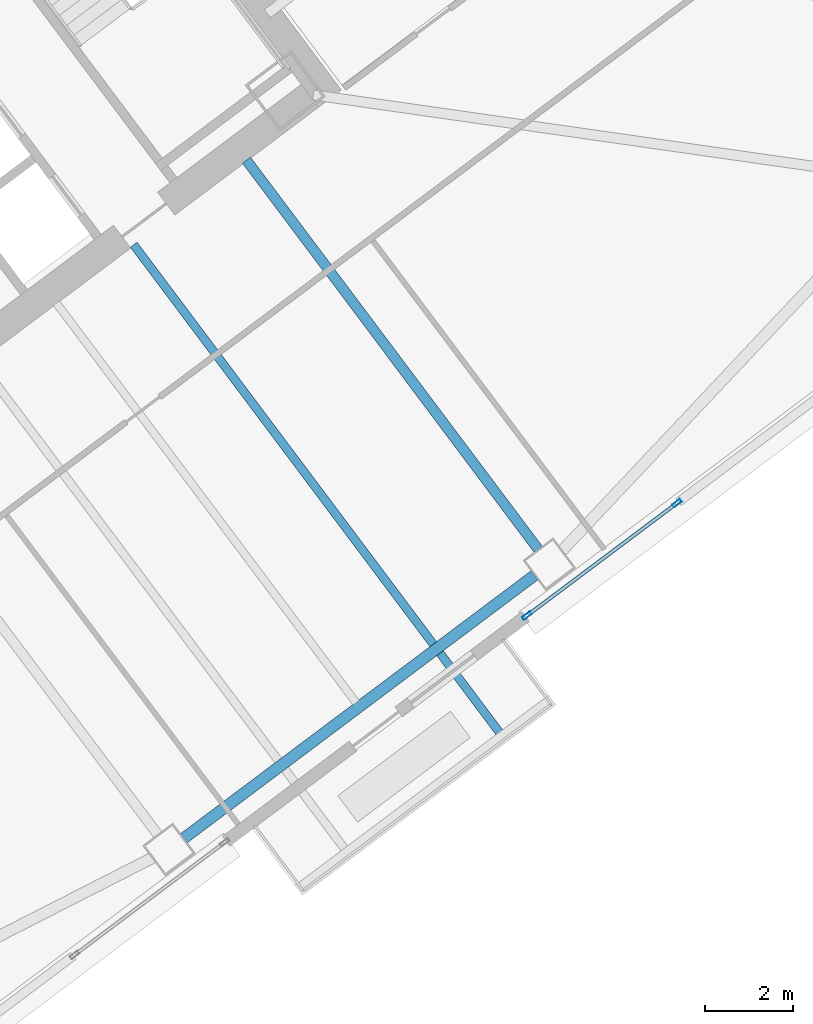
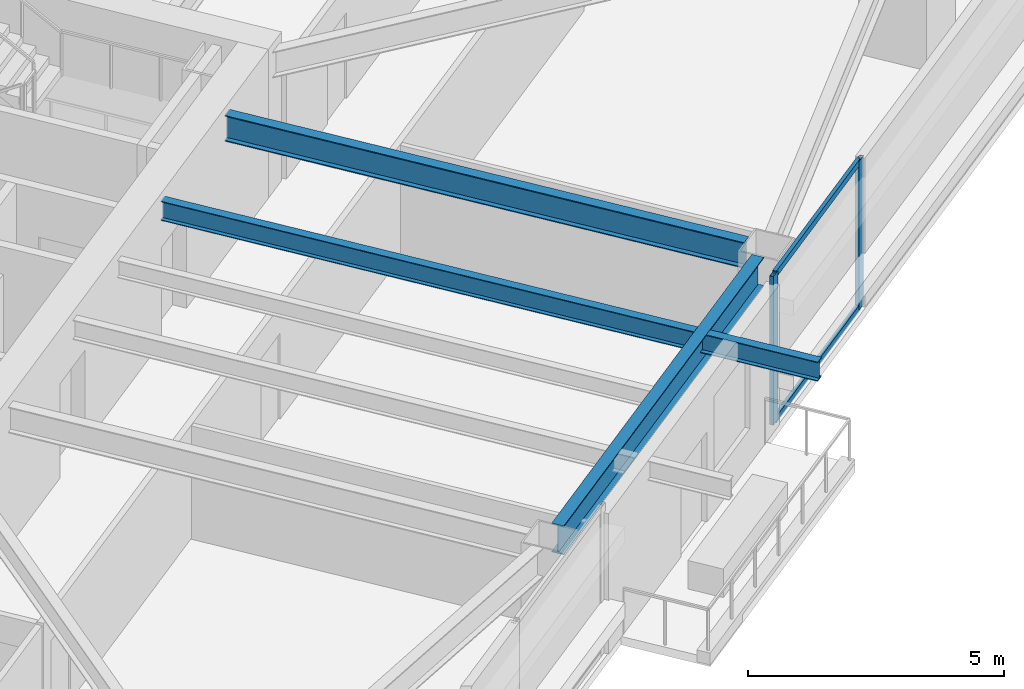
# One storey, part 27 of 48: 4 members, 3 beams, 1 element without a shape of its own.
"""IFC4 building model written with IfcOpenShell, lengths in metres."""

from ifc_helpers import new_model, si_unit, direction, frame, origin, origin_2d, place, context, subcontext, project, spatial, hollow_rectangle, i_section, extrude, material, material_profile, profile_set, type_object, element, aggregate, save


model = new_model("IFC4")

# Units and contexts
model_context = context("Model", 3, precision=1e-05, world=origin(), true_north=direction((0.0, 1.0)))
body_context = subcontext(model_context, "Body", "Model", "MODEL_VIEW")
ifc_project = project(units=[si_unit("LENGTHUNIT", "METRE"), si_unit("AREAUNIT", "SQUARE_METRE"), si_unit("VOLUMEUNIT", "CUBIC_METRE"), si_unit("PLANEANGLEUNIT", "RADIAN"), si_unit("MASSUNIT", "GRAM", prefix="KILO")], contexts=[model_context])

# Site, building, storey
site_placement = place(None, origin())
site = spatial("IfcSite", under=ifc_project, at=site_placement, CompositionType="ELEMENT")
building_placement = place(site_placement, origin())
building = spatial("IfcBuilding", under=site, at=building_placement, Name="Tashvorn Skyway Center", CompositionType="ELEMENT")
storey_placement = place(building_placement, frame((0.0, 0.0, 77.85009765625)))
storey = spatial("IfcBuildingStorey", under=building, at=storey_placement, Name="L20", CompositionType="ELEMENT", Elevation=77.85009765625)

# Beams
ifc_material_1 = material(Name="Steel ASTM A992 Grade 50", Category="steel")
ifc_material_profile_1 = material_profile(ifc_material_1, i_section(OverallWidth=0.22998046875, OverallDepth=0.616943359375, WebThickness=0.01318359375, FlangeThickness=0.022216796875, at=origin_2d()), Name="W24X94")
ifc_profile_set_1 = profile_set([ifc_material_profile_1], Name="Steel ASTM A992 Grade 50")
beam_type_1 = type_object("IfcBeamType", Name="BM-BEAM-W24X94", PredefinedType="BEAM", material=ifc_profile_set_1)
beam_1_placement = place(storey_placement, frame((129.617919921875, 20.176025390625, 3.04150390625), z_axis=(-0.599989394744, 0.800007953832, 0.0), x_axis=(-0.800007953832, -0.599989394744, 0.0)))
element("IfcBeam", 1, at=beam_1_placement, inside=storey, type_object=beam_type_1, Name="Tower 2 L20 Primary Floor Girder FC-S2", PredefinedType="BEAM", context=body_context, shape_type="SweptSolid", body=[
    extrude(i_section(OverallWidth=0.22998046875, OverallDepth=0.616943359375, WebThickness=0.01318359375, FlangeThickness=0.022216796875, at=origin_2d()), origin(), (0.0, 0.0, 1.0), 11.050048828125),
])
ifc_material_profile_2 = material_profile(ifc_material_1, i_section(OverallWidth=0.19091796875, OverallDepth=0.4599609375, WebThickness=0.010009765625, FlangeThickness=0.01611328125, at=origin_2d()), Name="W18X55")
ifc_profile_set_2 = profile_set([ifc_material_profile_2], Name="Steel ASTM A992 Grade 50")
beam_type_2 = type_object("IfcBeamType", Name="BM-JOIST-W18X55", PredefinedType="JOIST", material=ifc_profile_set_2)
beam_2_placement = place(storey_placement, frame((120.427978515625, 27.095947265625, 3.119873046875), z_axis=(0.600002796153, -0.799997902878, 0.0), x_axis=(0.799997902878, 0.600002796153, 0.0)))
element("IfcBeam", 2, at=beam_2_placement, inside=storey, type_object=beam_type_2, Name="Tower 2 L21 Terrace Cantilever Outlooker 2", PredefinedType="JOIST", context=body_context, shape_type="SweptSolid", body=[
    extrude(i_section(OverallWidth=0.19091796875, OverallDepth=0.4599609375, WebThickness=0.010009765625, FlangeThickness=0.01611328125, at=origin_2d()), origin(), (0.0, 0.0, 1.0), 13.969970703125),
])
ifc_material_profile_3 = material_profile(ifc_material_1, i_section(OverallWidth=0.256103515625, OverallDepth=0.693115234375, WebThickness=0.014404296875, FlangeThickness=0.023681640625, at=origin_2d()), Name="W27X114")
ifc_profile_set_3 = profile_set([ifc_material_profile_3], Name="Steel ASTM A992 Grade 50")
beam_type_3 = type_object("IfcBeamType", Name="BM-SPANDREL-W27X114", PredefinedType="SPANDREL", material=ifc_profile_set_3)
beam_3_placement = place(storey_placement, frame((121.56591796875, 13.612060546875, 3.00341796875), z_axis=(0.800008824351, 0.599988234018, 0.0), x_axis=(-0.599988234018, 0.800008824351, 0.0)))
element("IfcBeam", 3, at=beam_3_placement, inside=storey, type_object=beam_type_3, Name="Tower 2 L20 Spandrel Beam 02", PredefinedType="SPANDREL", context=body_context, shape_type="SweptSolid", body=[
    extrude(i_section(OverallWidth=0.256103515625, OverallDepth=0.693115234375, WebThickness=0.014404296875, FlangeThickness=0.023681640625, at=origin_2d()), origin(), (0.0, 0.0, 1.0), 9.9599609375),
])

# Curtain wall, members
ifc_material_2 = material(Name="Thermally broken bronze-anodized aluminium 6063-T6", Category="aluminium")
curtain_wall_type = type_object("IfcCurtainWallType", Name="CW-CW-Z2", PredefinedType="NOTDEFINED", material=ifc_material_2)
curtain_wall_placement = place(storey_placement, origin())
curtain_wall = element("IfcCurtainWall", 4, at=curtain_wall_placement, inside=storey, type_object=curtain_wall_type, Name="Tower 2 L20 South Curtain Wall L Glazing Group 1", PredefinedType="NOTDEFINED")
ifc_material_profile_4 = material_profile(ifc_material_2, hollow_rectangle(XDim=0.080078125, YDim=0.219970703125, WallThickness=0.0048828125, at=origin_2d()), Name="ALU-MULL-80x220")
ifc_profile_set_4 = profile_set([ifc_material_profile_4], Name="Thermally broken bronze-anodized aluminium 6063-T6")
member_type_1 = type_object("IfcMemberType", Name="CWM-CW-Z2", PredefinedType="MULLION", material=ifc_profile_set_4)
member_1_placement = place(storey_placement, frame((132.770751953125, 21.22802734375, 0.0), z_axis=(0.0, 0.0, 1.0), x_axis=(0.599996316206, -0.800002762832, 0.0)))
member_1 = element("IfcMember", 5, at=member_1_placement, type_object=member_type_1, Name="CW-Z2 mullion 1", PredefinedType="MULLION", context=body_context, shape_type="SweptSolid", body=[
    extrude(hollow_rectangle(XDim=0.080078125, YDim=0.219970703125, WallThickness=0.0048828125, at=origin_2d()), origin(), (0.0, 0.0, 1.0), 3.5498046875),
])
member_2_placement = place(storey_placement, frame((129.360107421875, 18.669921875, 0.0), z_axis=(0.0, 0.0, 1.0), x_axis=(0.599996316206, -0.800002762832, 0.0)))
member_2 = element("IfcMember", 6, at=member_2_placement, type_object=member_type_1, Name="CW-Z2 mullion 2", PredefinedType="MULLION", context=body_context, shape_type="SweptSolid", body=[
    extrude(hollow_rectangle(XDim=0.080078125, YDim=0.219970703125, WallThickness=0.0048828125, at=origin_2d()), origin(), (0.0, 0.0, 1.0), 3.5498046875),
])
ifc_material_profile_5 = material_profile(ifc_material_2, hollow_rectangle(XDim=0.080078125, YDim=0.14990234375, WallThickness=0.00439453125, at=origin_2d()), Name="ALU-TRAN-80x150")
ifc_profile_set_5 = profile_set([ifc_material_profile_5], Name="Thermally broken bronze-anodized aluminium 6063-T6")
member_type_2 = type_object("IfcMemberType", Name="CWT-CW-Z2", PredefinedType="USERDEFINED", material=ifc_profile_set_5)
member_3_placement = place(storey_placement, frame((132.73876953125, 21.2041015625, 0.039794921875), z_axis=(-0.8, -0.6, 0.0), x_axis=(0.6, -0.8, 0.0)))
member_3 = element("IfcMember", 7, at=member_3_placement, type_object=member_type_2, Name="CW-Z2 transom 1.1", ObjectType="TRANSOM", PredefinedType="USERDEFINED", context=body_context, shape_type="SweptSolid", body=[
    extrude(hollow_rectangle(XDim=0.080078125, YDim=0.14990234375, WallThickness=0.00439453125, at=origin_2d()), origin(), (0.0, 0.0, 1.0), 4.183349609375),
])
member_4_placement = place(storey_placement, frame((132.73876953125, 21.2041015625, 3.510009765625), z_axis=(-0.8, -0.6, 0.0), x_axis=(0.6, -0.8, 0.0)))
member_4 = element("IfcMember", 8, at=member_4_placement, type_object=member_type_2, Name="CW-Z2 transom 1.2", ObjectType="TRANSOM", PredefinedType="USERDEFINED", context=body_context, shape_type="SweptSolid", body=[
    extrude(hollow_rectangle(XDim=0.080078125, YDim=0.14990234375, WallThickness=0.00439453125, at=origin_2d()), origin(), (0.0, 0.0, 1.0), 4.183349609375),
])
aggregate(curtain_wall, [member_1, member_2, member_3, member_4])

save(model, "model.ifc")
